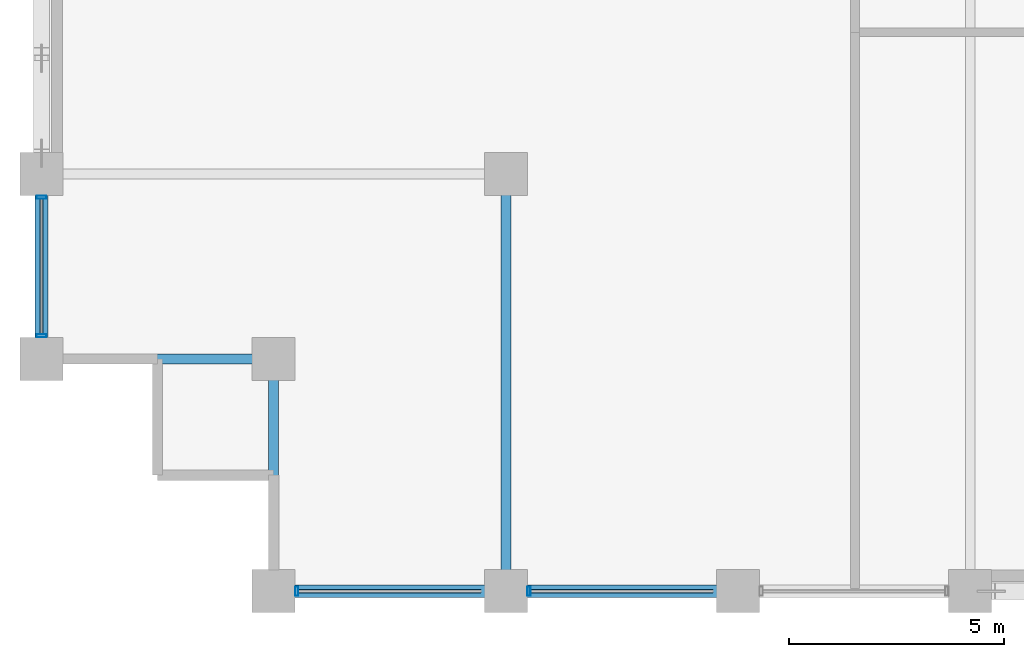
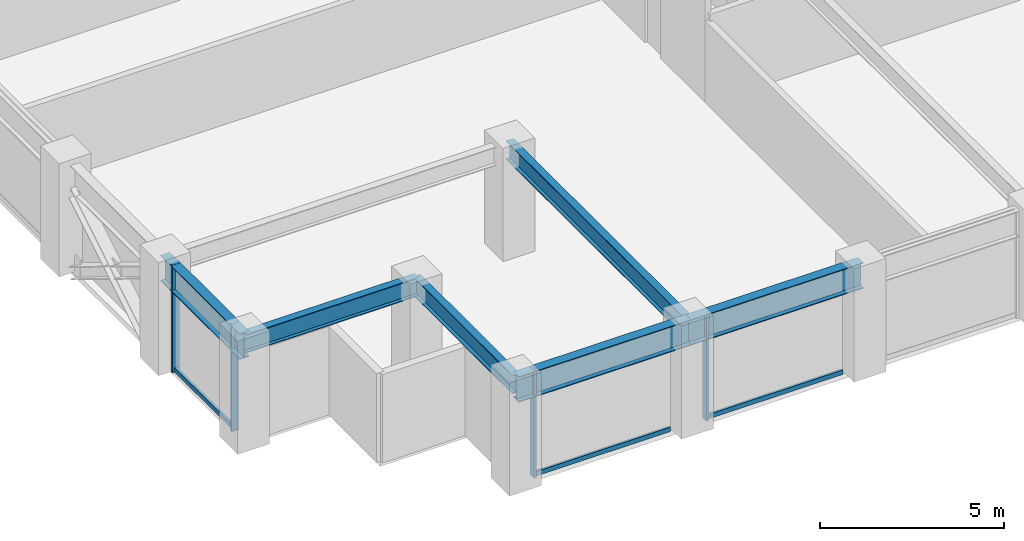
# One storey, part 2 of 23: 7 members, 6 beams, 2 elements without a shape of their own.
"""IFC4 building model written with IfcOpenShell, lengths in metres."""

from ifc_helpers import new_model, si_unit, direction, frame, origin, origin_2d, place, context, subcontext, project, spatial, hollow_rectangle, i_section, extrude, material, layer, layer_set, material_profile, profile_set, type_object, element, aggregate, save


model = new_model("IFC4")

# Units and contexts
model_context = context("Model", 3, precision=1e-05, world=origin(), true_north=direction((0.0, 1.0)))
body_context = subcontext(model_context, "Body", "Model", "MODEL_VIEW")
ifc_project = project(units=[si_unit("LENGTHUNIT", "METRE"), si_unit("AREAUNIT", "SQUARE_METRE"), si_unit("VOLUMEUNIT", "CUBIC_METRE"), si_unit("PLANEANGLEUNIT", "RADIAN"), si_unit("MASSUNIT", "GRAM", prefix="KILO")], contexts=[model_context])

# Site, building, storey
site_placement = place(None, origin())
site = spatial("IfcSite", under=ifc_project, at=site_placement, CompositionType="ELEMENT")
building_placement = place(site_placement, origin())
building = spatial("IfcBuilding", under=site, at=building_placement, Name="Surkhivell Harbour Commons", CompositionType="ELEMENT")
storey_placement = place(building_placement, frame((0.0, 0.0, 135.75)))
storey = spatial("IfcBuildingStorey", under=building, at=storey_placement, Name="L35", CompositionType="ELEMENT", Elevation=135.75)

# Beams
ifc_material_1 = material(Name="Steel S355", Category="steel")
ifc_material_profile_1 = material_profile(ifc_material_1, i_section(OverallWidth=0.22998046875, OverallDepth=0.616943359375, WebThickness=0.01318359375, FlangeThickness=0.022216796875, at=origin_2d()), Name="UB610x229x140")
ifc_profile_set_1 = profile_set([ifc_material_profile_1], Name="Steel S355")
beam_type_1 = type_object("IfcBeamType", Name="BM-GRD-610B", PredefinedType="BEAM", material=ifc_profile_set_1)
for number, where, z_axis, x_axis, name in (
    (1, (-32.39990234375, -20.5, 3.261474609375), (1.0, 0.0, 0.0), (0.0, 1.0, 0.0), "L35 Floor Girder (-32.4,-20.5)"),
    (2, (-27.0, -25.89990234375, 3.261474609375), (0.0, 1.0, 0.0), (-1.0, 0.0, 0.0), "L35 Floor Girder (-27.0,-25.9)"),
):
    element("IfcBeam", number, at=place(storey_placement, frame(where, z_axis=z_axis, x_axis=x_axis)), inside=storey, type_object=beam_type_1, Name=name, PredefinedType="BEAM", context=body_context, shape_type="SweptSolid", body=[
        extrude(i_section(OverallWidth=0.22998046875, OverallDepth=0.616943359375, WebThickness=0.01318359375, FlangeThickness=0.022216796875, at=origin_2d()), origin(), (0.0, 0.0, 1.0), 5.39990234375),
    ])
beam_1_placement = place(storey_placement, frame((-21.60009765625, -25.89990234375, 3.261474609375), z_axis=(0.0, 1.0, 0.0), x_axis=(-1.0, 0.0, 0.0)))
element("IfcBeam", 3, at=beam_1_placement, inside=storey, type_object=beam_type_1, Name="L35 Floor Girder (-21.6,-25.9)", PredefinedType="BEAM", context=body_context, shape_type="SweptSolid", body=[
    extrude(i_section(OverallWidth=0.22998046875, OverallDepth=0.616943359375, WebThickness=0.01318359375, FlangeThickness=0.022216796875, at=origin_2d()), origin(), (0.0, 0.0, 1.0), 9.699951171875),
])
ifc_material_2 = material(Name="Steel S460", Category="steel")
ifc_material_profile_2 = material_profile(ifc_material_2, i_section(OverallWidth=0.2939453125, OverallDepth=0.85107421875, WebThickness=0.01611328125, FlangeThickness=0.02685546875, at=origin_2d()), Name="UB838x292x226")
ifc_profile_set_2 = profile_set([ifc_material_profile_2], Name="Steel S460")
beam_type_2 = type_object("IfcBeamType", Name="BM-SPN-838", PredefinedType="SPANDREL", material=ifc_profile_set_2)
beam_2_placement = place(storey_placement, frame((-32.39990234375, -20.5, 3.14453125), z_axis=(0.0, 1.0, 0.0), x_axis=(-1.0, 0.0, 0.0)))
element("IfcBeam", 4, at=beam_2_placement, inside=storey, type_object=beam_type_2, Name="L35 Tube Spandrel (-32.4,-20.5)", PredefinedType="SPANDREL", context=body_context, shape_type="SweptSolid", body=[
    extrude(i_section(OverallWidth=0.2939453125, OverallDepth=0.85107421875, WebThickness=0.01611328125, FlangeThickness=0.02685546875, at=origin_2d()), origin(), (0.0, 0.0, 1.0), 4.300048828125),
])
beam_3_placement = place(storey_placement, frame((-27.0, -25.89990234375, 3.14453125), z_axis=(1.0, 0.0, 0.0), x_axis=(0.0, 1.0, 0.0)))
element("IfcBeam", 5, at=beam_3_placement, inside=storey, type_object=beam_type_2, Name="L35 Tube Spandrel (-27.0,-25.9)", PredefinedType="SPANDREL", context=body_context, shape_type="SweptSolid", body=[
    extrude(i_section(OverallWidth=0.2939453125, OverallDepth=0.85107421875, WebThickness=0.01611328125, FlangeThickness=0.02685546875, at=origin_2d()), origin(), (0.0, 0.0, 1.0), 5.39990234375),
])
beam_4_placement = place(storey_placement, frame((-21.60009765625, -25.89990234375, 3.14453125), z_axis=(1.0, 0.0, 0.0), x_axis=(0.0, 1.0, 0.0)))
element("IfcBeam", 6, at=beam_4_placement, inside=storey, type_object=beam_type_2, Name="L35 Tube Spandrel (-21.6,-25.9)", PredefinedType="SPANDREL", context=body_context, shape_type="SweptSolid", body=[
    extrude(i_section(OverallWidth=0.2939453125, OverallDepth=0.85107421875, WebThickness=0.01611328125, FlangeThickness=0.02685546875, at=origin_2d()), origin(), (0.0, 0.0, 1.0), 5.400146484375),
])

# Curtain wall, members
ifc_material_3 = material(Name="Anodised pale-metal aluminium and insulated glazing", Category="aluminium")
ifc_layer = layer(ifc_material_3, 0.205078125)
ifc_layer_set = layer_set([ifc_layer], Name="Anodised pale-metal aluminium and insulated glazing")
curtain_wall_type = type_object("IfcCurtainWallType", Name="CW-SYS-Z2", PredefinedType="NOTDEFINED", material=ifc_layer_set)
curtain_wall_1_placement = place(storey_placement, origin())
curtain_wall_1 = element("IfcCurtainWall", 7, at=curtain_wall_1_placement, inside=storey, type_object=curtain_wall_type, Name="L35 Curtain Wall CW-L35-E00S1", PredefinedType="NOTDEFINED")
ifc_material_4 = material(Name="Anodised pale-metal aluminium alloy 6063-T6", Category="aluminium")
ifc_material_profile_3 = material_profile(ifc_material_4, hollow_rectangle(XDim=0.074951171875, YDim=0.219970703125, WallThickness=0.00390625, at=origin_2d()), Name="ALU-MULL-75x220")
ifc_profile_set_3 = profile_set([ifc_material_profile_3], Name="Anodised pale-metal aluminium alloy 6063-T6")
member_type_1 = type_object("IfcMemberType", Name="CWM-220", PredefinedType="MULLION", material=ifc_profile_set_3)
member_1_placement = place(storey_placement, frame((-26.46044921875, -25.89990234375, 0.0), z_axis=(0.0, 0.0, 1.0), x_axis=(1.0, 0.0, 0.0)))
member_1 = element("IfcMember", 8, at=member_1_placement, type_object=member_type_1, Name="CW-Z2 mullion 1", PredefinedType="MULLION", context=body_context, shape_type="SweptSolid", body=[
    extrude(hollow_rectangle(XDim=0.074951171875, YDim=0.219970703125, WallThickness=0.00390625, at=origin_2d()), origin(), (0.0, 0.0, 1.0), 3.570068359375),
])
member_2_placement = place(storey_placement, frame((-21.060546875, -25.89990234375, 0.0), z_axis=(0.0, 0.0, 1.0), x_axis=(1.0, 0.0, 0.0)))
member_2 = element("IfcMember", 9, at=member_2_placement, type_object=member_type_1, Name="CW-Z2 mullion 2", PredefinedType="MULLION", context=body_context, shape_type="SweptSolid", body=[
    extrude(hollow_rectangle(XDim=0.074951171875, YDim=0.219970703125, WallThickness=0.00390625, at=origin_2d()), origin(), (0.0, 0.0, 1.0), 3.570068359375),
])

curtain_wall_2_placement = place(storey_placement, origin())
curtain_wall_2 = element("IfcCurtainWall", 10, at=curtain_wall_2_placement, inside=storey, type_object=curtain_wall_type, Name="L35 Curtain Wall CW-L35-E12S2", PredefinedType="NOTDEFINED")
member_3_placement = place(storey_placement, frame((-32.39990234375, -16.739501953125, 0.0), z_axis=(0.0, 0.0, 1.0), x_axis=(0.0, -1.0, 0.0)))
member_3 = element("IfcMember", 11, at=member_3_placement, type_object=member_type_1, Name="CW-Z2 mullion 1", PredefinedType="MULLION", context=body_context, shape_type="SweptSolid", body=[
    extrude(hollow_rectangle(XDim=0.074951171875, YDim=0.219970703125, WallThickness=0.00390625, at=origin_2d()), origin(), (0.0, 0.0, 1.0), 3.570068359375),
])
member_4_placement = place(storey_placement, frame((-32.39990234375, -19.96044921875, 0.0), z_axis=(0.0, 0.0, 1.0), x_axis=(0.0, -1.0, 0.0)))
member_4 = element("IfcMember", 12, at=member_4_placement, type_object=member_type_1, Name="CW-Z2 mullion 2", PredefinedType="MULLION", context=body_context, shape_type="SweptSolid", body=[
    extrude(hollow_rectangle(XDim=0.074951171875, YDim=0.219970703125, WallThickness=0.00390625, at=origin_2d()), origin(), (0.0, 0.0, 1.0), 3.570068359375),
])

# Member
ifc_material_profile_4 = material_profile(ifc_material_4, hollow_rectangle(XDim=0.074951171875, YDim=0.14990234375, WallThickness=0.00341796875, at=origin_2d()), Name="ALU-TRAN-75x150")
ifc_profile_set_4 = profile_set([ifc_material_profile_4], Name="Anodised pale-metal aluminium alloy 6063-T6")
member_type_2 = type_object("IfcMemberType", Name="CWT-150", PredefinedType="USERDEFINED", material=ifc_profile_set_4)
member_5_placement = place(storey_placement, frame((-26.423095703125, -25.89990234375, 0.074951171875), z_axis=(1.0, 0.0, 0.0), x_axis=(0.0, 1.0, 0.0)))
member_5 = element("IfcMember", 13, at=member_5_placement, type_object=member_type_2, Name="CW-Z2 transom 1.1", ObjectType="TRANSOM", PredefinedType="USERDEFINED", context=body_context, shape_type="SweptSolid", body=[
    extrude(hollow_rectangle(XDim=0.074951171875, YDim=0.14990234375, WallThickness=0.00341796875, at=origin_2d()), origin(), (0.0, 0.0, 1.0), 4.24609375),
])

member_6_placement = place(storey_placement, frame((-21.02294921875, -25.89990234375, 0.074951171875), z_axis=(1.0, 0.0, 0.0), x_axis=(0.0, 1.0, 0.0)))
member_6 = element("IfcMember", 14, at=member_6_placement, type_object=member_type_2, Name="CW-Z2 transom 2.1", ObjectType="TRANSOM", PredefinedType="USERDEFINED", context=body_context, shape_type="SweptSolid", body=[
    extrude(hollow_rectangle(XDim=0.074951171875, YDim=0.14990234375, WallThickness=0.00341796875, at=origin_2d()), origin(), (0.0, 0.0, 1.0), 4.245849609375),
])

aggregate(curtain_wall_1, [member_1, member_5, member_2, member_6])

member_7_placement = place(storey_placement, frame((-32.39990234375, -16.777099609375, 0.074951171875), z_axis=(0.0, -1.0, 0.0), x_axis=(1.0, 0.0, 0.0)))
member_7 = element("IfcMember", 15, at=member_7_placement, type_object=member_type_2, Name="CW-Z2 transom 1.1", ObjectType="TRANSOM", PredefinedType="USERDEFINED", context=body_context, shape_type="SweptSolid", body=[
    extrude(hollow_rectangle(XDim=0.074951171875, YDim=0.14990234375, WallThickness=0.00341796875, at=origin_2d()), origin(), (0.0, 0.0, 1.0), 3.14599609375),
])

aggregate(curtain_wall_2, [member_3, member_4, member_7])

save(model, "model.ifc")
